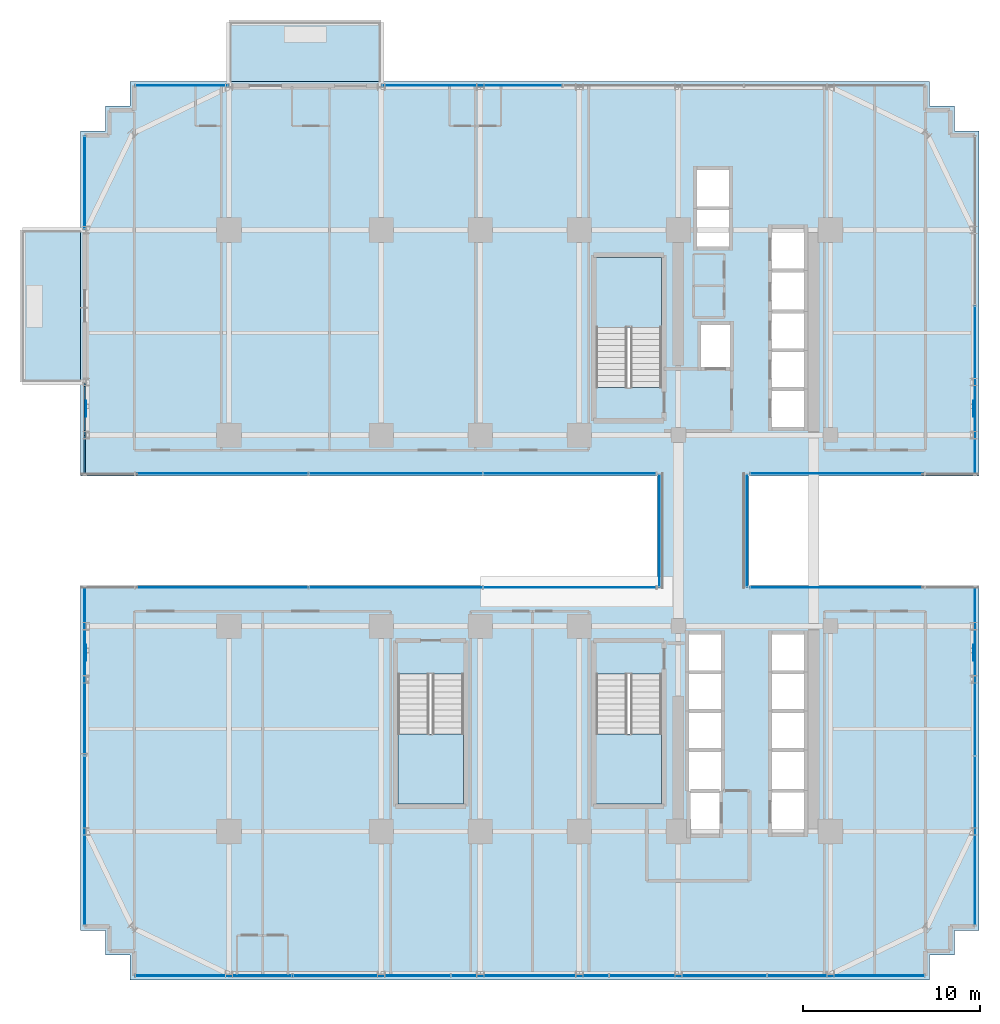
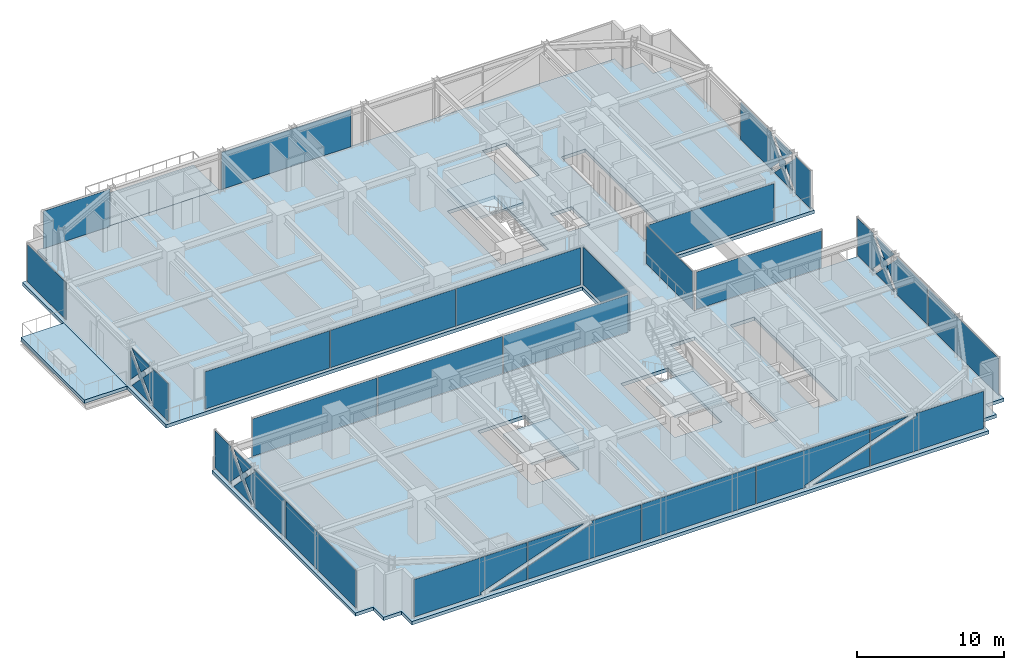
# One storey, part 34 of 42: 28 plates, 6 slabs, 17 elements without a shape of their own.
"""IFC4 building model written with IfcOpenShell, lengths in metres."""

from ifc_helpers import new_model, si_unit, direction, frame, origin, origin_2d, place, context, subcontext, project, spatial, polyline, rectangle, outline, extrude, source, transform, mapped, material, layer, layer_set, type_object, element, aggregate, save


model = new_model("IFC4")

# Units and contexts
model_context = context("Model", 3, precision=1e-05, world=origin(), true_north=direction((0.0, 1.0)))
body_context = subcontext(model_context, "Body", "Model", "MODEL_VIEW")
ifc_project = project(units=[si_unit("LENGTHUNIT", "METRE"), si_unit("AREAUNIT", "SQUARE_METRE"), si_unit("VOLUMEUNIT", "CUBIC_METRE"), si_unit("PLANEANGLEUNIT", "RADIAN"), si_unit("MASSUNIT", "GRAM", prefix="KILO")], contexts=[model_context])

# Site, building, storey
site_placement = place(None, origin())
site = spatial("IfcSite", under=ifc_project, at=site_placement, CompositionType="ELEMENT")
building_placement = place(site_placement, origin())
building = spatial("IfcBuilding", under=site, at=building_placement, Name="Nahalor Promenade Grand Hotel", CompositionType="ELEMENT")
storey_placement = place(building_placement, frame((0.0, 0.0, 61.60009765625)))
storey = spatial("IfcBuildingStorey", under=building, at=storey_placement, Name="L14", CompositionType="ELEMENT", Elevation=61.60009765625)

# Curtain wall, plates
ifc_material_1 = material(Name="Anodised Bronze Aluminium EN AW-6063 T6", Category="aluminium")
curtain_wall_type_1 = type_object("IfcCurtainWallType", Name="CW3 Elliptical-Void Collar Unitised Curtain Wall", PredefinedType="USERDEFINED", material=ifc_material_1)
curtain_wall_1_placement = place(storey_placement, origin())
curtain_wall_1 = element("IfcCurtainWall", 1, at=curtain_wall_1_placement, inside=storey, type_object=curtain_wall_type_1, Name="L14 Curtain Wall CW-L14-S-1", ObjectType="UNITISED_CURTAIN_WALL", PredefinedType="USERDEFINED")
ifc_material_2 = material(Name="Low-E Laminated Solar Glass", Category="glass")
ifc_layer_1 = layer(ifc_material_2, 0.030029296875)
ifc_layer_set_1 = layer_set([ifc_layer_1], Name="Low-E Laminated Solar Glass")
plate_type_1 = type_object("IfcPlateType", Name="CWP3 High-Wind Laminated Bronze IGU 30mm", PredefinedType="CURTAIN_PANEL", material=ifc_layer_set_1)
plate_1_placement = place(storey_placement, frame((-17.87060546875, -25.159912109375, 0.1396484375), z_axis=(0.0, 0.0, 1.0), x_axis=(1.0, 0.0, 0.0)))
plate_1 = element("IfcPlate", 2, at=plate_1_placement, type_object=plate_type_1, Name="CW-L14-S-1 Glazing Panel 0-0", PredefinedType="CURTAIN_PANEL", context=body_context, shape_type="SweptSolid", body=[
    extrude(outline(polyline([(-4.41943359375, 3.090087890625), (-4.41943359375, 0.0), (0.847412109375, 0.0), (0.77978515625, 0.18994140625), (4.41943359375, 1.4892578125), (4.41943359375, 3.090087890625), (-4.41943359375, 3.090087890625)])), frame((0.0, 0.01513671875, 0.0), z_axis=(0.0, -1.0, 0.0), x_axis=(1.0, 0.0, 0.0)), (0.0, 0.0, 1.0), 0.030029296875),
    extrude(outline(polyline([(1.437255859375, 0.0), (4.41943359375, 0.0), (4.41943359375, 1.064453125), (1.437255859375, 0.0)])), frame((0.0, 0.01513671875, 0.0), z_axis=(0.0, -1.0, 0.0), x_axis=(1.0, 0.0, 0.0)), (0.0, 0.0, 1.0), 0.030029296875),
])
plate_2_placement = place(storey_placement, frame((-8.944091796875, -25.159912109375, 0.1396484375), z_axis=(0.0, 0.0, 1.0), x_axis=(1.0, 0.0, 0.0)))
plate_2 = element("IfcPlate", 3, at=plate_2_placement, type_object=plate_type_1, Name="CW-L14-S-1 Glazing Panel 1-0", PredefinedType="CURTAIN_PANEL", context=body_context, shape_type="SweptSolid", body=[
    extrude(outline(polyline([(4.43701171875, 0.0), (4.43701171875, 3.090087890625), (0.56689453125, 3.090087890625), (0.634765625, 2.900146484375), (-4.43701171875, 1.089599609375), (-4.43701171875, 0.0), (4.43701171875, 0.0)])), frame((0.0, 0.01513671875, 0.0), z_axis=(0.0, -1.0, 0.0), x_axis=(1.0, 0.0, 0.0)), (0.0, 0.0, 1.0), 0.030029296875),
    extrude(outline(polyline([(-0.02294921875, 3.090087890625), (-4.43701171875, 3.090087890625), (-4.43701171875, 1.51416015625), (-0.02294921875, 3.090087890625)])), frame((0.0, 0.01513671875, 0.0), z_axis=(0.0, -1.0, 0.0), x_axis=(1.0, 0.0, 0.0)), (0.0, 0.0, 1.0), 0.030029296875),
])
plate_3_placement = place(storey_placement, frame((8.944091796875, -25.159912109375, 0.1396484375), z_axis=(0.0, 0.0, 1.0), x_axis=(1.0, 0.0, 0.0)))
plate_3 = element("IfcPlate", 4, at=plate_3_placement, type_object=plate_type_1, Name="CW-L14-S-1 Glazing Panel 3-0", PredefinedType="CURTAIN_PANEL", context=body_context, shape_type="SweptSolid", body=[
    extrude(outline(polyline([(-4.43701171875, 3.090087890625), (-4.43701171875, 0.0), (-0.56689453125, 0.0), (-0.634765625, 0.18994140625), (4.43701171875, 2.00048828125), (4.43701171875, 3.090087890625), (-4.43701171875, 3.090087890625)])), frame((0.0, 0.01513671875, 0.0), z_axis=(0.0, -1.0, 0.0), x_axis=(1.0, 0.0, 0.0)), (0.0, 0.0, 1.0), 0.030029296875),
    extrude(outline(polyline([(0.02294921875, 0.0), (4.43701171875, 0.0), (4.43701171875, 1.57568359375), (0.02294921875, 0.0)])), frame((0.0, 0.01513671875, 0.0), z_axis=(0.0, -1.0, 0.0), x_axis=(1.0, 0.0, 0.0)), (0.0, 0.0, 1.0), 0.030029296875),
])
plate_4_placement = place(storey_placement, frame((17.87060546875, -25.159912109375, 0.1396484375), z_axis=(0.0, 0.0, 1.0), x_axis=(1.0, 0.0, 0.0)))
plate_4 = element("IfcPlate", 5, at=plate_4_placement, type_object=plate_type_1, Name="CW-L14-S-1 Glazing Panel 4-0", PredefinedType="CURTAIN_PANEL", context=body_context, shape_type="SweptSolid", body=[
    extrude(outline(polyline([(4.41943359375, 0.0), (4.41943359375, 3.090087890625), (-0.847412109375, 3.090087890625), (-0.77978515625, 2.900146484375), (-4.41943359375, 1.600830078125), (-4.41943359375, 0.0), (4.41943359375, 0.0)])), frame((0.0, 0.01513671875, 0.0), z_axis=(0.0, -1.0, 0.0), x_axis=(1.0, 0.0, 0.0)), (0.0, 0.0, 1.0), 0.030029296875),
    extrude(outline(polyline([(-1.437255859375, 3.090087890625), (-4.41943359375, 3.090087890625), (-4.41943359375, 2.025390625), (-1.437255859375, 3.090087890625)])), frame((0.0, 0.01513671875, 0.0), z_axis=(0.0, -1.0, 0.0), x_axis=(1.0, 0.0, 0.0)), (0.0, 0.0, 1.0), 0.030029296875),
])

# Curtain wall, plate
curtain_wall_2_placement = place(storey_placement, origin())
curtain_wall_2 = element("IfcCurtainWall", 6, at=curtain_wall_2_placement, inside=storey, type_object=curtain_wall_type_1, Name="L14 Curtain Wall CW-L14-W-1", ObjectType="UNITISED_CURTAIN_WALL", PredefinedType="USERDEFINED")
plate_5_placement = place(storey_placement, frame((-25.159912109375, -7.9326171875, 0.1396484375), z_axis=(0.0, 0.0, 1.0), x_axis=(0.0, 1.0, 0.0)))
plate_5 = element("IfcPlate", 7, at=plate_5_placement, type_object=plate_type_1, Name="CW-L14-W-1 Glazing Panel 1-0", PredefinedType="CURTAIN_PANEL", context=body_context, shape_type="SweptSolid", body=[
    extrude(outline(polyline([(-4.762451171875, 3.090087890625), (-4.762451171875, 0.0), (-0.492919921875, 0.0), (-0.6279296875, 0.1318359375), (0.7529296875, 1.544921875), (-0.6279296875, 2.9580078125), (-0.492919921875, 3.090087890625), (-4.762451171875, 3.090087890625)])), frame((0.0, 0.01513671875, 0.0), z_axis=(0.0, -1.0, 0.0), x_axis=(1.0, 0.0, 0.0)), (0.0, 0.0, 1.0), 0.030029296875),
    extrude(outline(polyline([(1.032470703125, 1.2587890625), (-0.19775390625, 0.0), (2.2626953125, 0.0), (1.032470703125, 1.2587890625)])), frame((0.0, 0.01513671875, 0.0), z_axis=(0.0, -1.0, 0.0), x_axis=(1.0, 0.0, 0.0)), (0.0, 0.0, 1.0), 0.030029296875),
    extrude(outline(polyline([(1.032470703125, 1.831298828125), (2.2626953125, 3.090087890625), (-0.197509765625, 3.090087890625), (1.032470703125, 1.831298828125)])), frame((0.0, 0.01513671875, 0.0), z_axis=(0.0, -1.0, 0.0), x_axis=(1.0, 0.0, 0.0)), (0.0, 0.0, 1.0), 0.030029296875),
    extrude(outline(polyline([(4.762451171875, 0.0), (4.762451171875, 3.090087890625), (2.55810546875, 3.090087890625), (2.693115234375, 2.9580078125), (1.31201171875, 1.544921875), (2.693115234375, 0.1318359375), (2.55810546875, 0.0), (4.762451171875, 0.0)])), frame((0.0, 0.01513671875, 0.0), z_axis=(0.0, -1.0, 0.0), x_axis=(1.0, 0.0, 0.0)), (0.0, 0.0, 1.0), 0.030029296875),
])

curtain_wall_3_placement = place(storey_placement, origin())
curtain_wall_3 = element("IfcCurtainWall", 8, at=curtain_wall_3_placement, inside=storey, type_object=curtain_wall_type_1, Name="L14 Curtain Wall CW-L14-W-2", ObjectType="UNITISED_CURTAIN_WALL", PredefinedType="USERDEFINED")
plate_6_placement = place(storey_placement, frame((-25.159912109375, 5.75, 0.1396484375), z_axis=(0.0, 0.0, 1.0), x_axis=(0.0, 1.0, 0.0)))
plate_6 = element("IfcPlate", 9, at=plate_6_placement, type_object=plate_type_1, Name="CW-L14-W-2 Glazing Panel 0-0", PredefinedType="CURTAIN_PANEL", context=body_context, shape_type="SweptSolid", body=[
    extrude(outline(polyline([(-2.580078125, 3.090087890625), (-2.580078125, 0.0), (-0.37548828125, 0.0), (-0.510498046875, 0.1318359375), (0.870361328125, 1.544921875), (-0.510498046875, 2.9580078125), (-0.37548828125, 3.090087890625), (-2.580078125, 3.090087890625)])), frame((0.0, 0.01513671875, 0.0), z_axis=(0.0, -1.0, 0.0), x_axis=(1.0, 0.0, 0.0)), (0.0, 0.0, 1.0), 0.030029296875),
    extrude(outline(polyline([(1.14990234375, 1.2587890625), (-0.080078125, 0.0), (2.380126953125, 0.0), (1.14990234375, 1.2587890625)])), frame((0.0, 0.01513671875, 0.0), z_axis=(0.0, -1.0, 0.0), x_axis=(1.0, 0.0, 0.0)), (0.0, 0.0, 1.0), 0.030029296875),
    extrude(outline(polyline([(1.14990234375, 1.831298828125), (2.380126953125, 3.090087890625), (-0.080078125, 3.090087890625), (1.14990234375, 1.831298828125)])), frame((0.0, 0.01513671875, 0.0), z_axis=(0.0, -1.0, 0.0), x_axis=(1.0, 0.0, 0.0)), (0.0, 0.0, 1.0), 0.030029296875),
    extrude(outline(polyline([(1.4296875, 1.544921875), (2.580078125, 0.36767578125), (2.580078125, 2.72216796875), (1.4296875, 1.544921875)])), frame((0.0, 0.01513671875, 0.0), z_axis=(0.0, -1.0, 0.0), x_axis=(1.0, 0.0, 0.0)), (0.0, 0.0, 1.0), 0.030029296875),
])
aggregate(curtain_wall_3, [plate_6])

curtain_wall_4_placement = place(storey_placement, origin())
curtain_wall_4 = element("IfcCurtainWall", 10, at=curtain_wall_4_placement, inside=storey, type_object=curtain_wall_type_1, Name="L14 Curtain Wall CW-L14-E-1", ObjectType="UNITISED_CURTAIN_WALL", PredefinedType="USERDEFINED")
plate_7_placement = place(storey_placement, frame((25.159912109375, -7.9326171875, 0.1396484375), z_axis=(0.0, 0.0, 1.0), x_axis=(0.0, 1.0, 0.0)))
plate_7 = element("IfcPlate", 11, at=plate_7_placement, type_object=plate_type_1, Name="CW-L14-E-1 Glazing Panel 1-0", PredefinedType="CURTAIN_PANEL", context=body_context, shape_type="SweptSolid", body=[
    extrude(outline(polyline([(-4.762451171875, 3.090087890625), (-4.762451171875, 0.0), (-0.492919921875, 0.0), (-0.6279296875, 0.1318359375), (0.7529296875, 1.544921875), (-0.6279296875, 2.9580078125), (-0.492919921875, 3.090087890625), (-4.762451171875, 3.090087890625)])), frame((0.0, 0.01513671875, 0.0), z_axis=(0.0, -1.0, 0.0), x_axis=(1.0, 0.0, 0.0)), (0.0, 0.0, 1.0), 0.030029296875),
    extrude(outline(polyline([(1.032470703125, 1.2587890625), (-0.19775390625, 0.0), (2.2626953125, 0.0), (1.032470703125, 1.2587890625)])), frame((0.0, 0.01513671875, 0.0), z_axis=(0.0, -1.0, 0.0), x_axis=(1.0, 0.0, 0.0)), (0.0, 0.0, 1.0), 0.030029296875),
    extrude(outline(polyline([(1.032470703125, 1.831298828125), (2.2626953125, 3.090087890625), (-0.197509765625, 3.090087890625), (1.032470703125, 1.831298828125)])), frame((0.0, 0.01513671875, 0.0), z_axis=(0.0, -1.0, 0.0), x_axis=(1.0, 0.0, 0.0)), (0.0, 0.0, 1.0), 0.030029296875),
    extrude(outline(polyline([(4.762451171875, 0.0), (4.762451171875, 3.090087890625), (2.55810546875, 3.090087890625), (2.693115234375, 2.9580078125), (1.31201171875, 1.544921875), (2.693115234375, 0.1318359375), (2.55810546875, 0.0), (4.762451171875, 0.0)])), frame((0.0, 0.01513671875, 0.0), z_axis=(0.0, -1.0, 0.0), x_axis=(1.0, 0.0, 0.0)), (0.0, 0.0, 1.0), 0.030029296875),
])

curtain_wall_5_placement = place(storey_placement, origin())
curtain_wall_5 = element("IfcCurtainWall", 12, at=curtain_wall_5_placement, inside=storey, type_object=curtain_wall_type_1, Name="L14 Curtain Wall CW-L14-E-2", ObjectType="UNITISED_CURTAIN_WALL", PredefinedType="USERDEFINED")
plate_8_placement = place(storey_placement, frame((25.159912109375, 7.9326171875, 0.1396484375), z_axis=(0.0, 0.0, 1.0), x_axis=(0.0, 1.0, 0.0)))
plate_8 = element("IfcPlate", 13, at=plate_8_placement, type_object=plate_type_1, Name="CW-L14-E-2 Glazing Panel 0-0", PredefinedType="CURTAIN_PANEL", context=body_context, shape_type="SweptSolid", body=[
    extrude(outline(polyline([(-4.762451171875, 3.090087890625), (-4.762451171875, 0.0), (-2.55810546875, 0.0), (-2.693115234375, 0.1318359375), (-1.31201171875, 1.544921875), (-2.693115234375, 2.9580078125), (-2.55810546875, 3.090087890625), (-4.762451171875, 3.090087890625)])), frame((0.0, 0.01513671875, 0.0), z_axis=(0.0, -1.0, 0.0), x_axis=(1.0, 0.0, 0.0)), (0.0, 0.0, 1.0), 0.030029296875),
    extrude(outline(polyline([(-1.032470703125, 1.2587890625), (-2.2626953125, 0.0), (0.197509765625, 0.0), (-1.032470703125, 1.2587890625)])), frame((0.0, 0.01513671875, 0.0), z_axis=(0.0, -1.0, 0.0), x_axis=(1.0, 0.0, 0.0)), (0.0, 0.0, 1.0), 0.030029296875),
    extrude(outline(polyline([(-1.032470703125, 1.831298828125), (0.19775390625, 3.090087890625), (-2.2626953125, 3.090087890625), (-1.032470703125, 1.831298828125)])), frame((0.0, 0.01513671875, 0.0), z_axis=(0.0, -1.0, 0.0), x_axis=(1.0, 0.0, 0.0)), (0.0, 0.0, 1.0), 0.030029296875),
    extrude(outline(polyline([(4.762451171875, 0.0), (4.762451171875, 3.090087890625), (0.492919921875, 3.090087890625), (0.6279296875, 2.9580078125), (-0.7529296875, 1.544921875), (0.6279296875, 0.1318359375), (0.492919921875, 0.0), (4.762451171875, 0.0)])), frame((0.0, 0.01513671875, 0.0), z_axis=(0.0, -1.0, 0.0), x_axis=(1.0, 0.0, 0.0)), (0.0, 0.0, 1.0), 0.030029296875),
])
aggregate(curtain_wall_5, [plate_8])

# Stair, slab
ifc_material_3 = material(Name="Concrete B-50 (C40/50)", Category="concrete")
stair_type_1 = type_object("IfcStairType", Name="Stair-ST1", PredefinedType="HALF_TURN_STAIR", material=ifc_material_3)
stair_1_placement = place(storey_placement, origin())
stair_1 = element("IfcStair", 14, at=stair_1_placement, inside=storey, type_object=stair_type_1, Name="L14 ST1", PredefinedType="HALF_TURN_STAIR")
ifc_layer_2 = layer(ifc_material_3, 0.199951171875)
ifc_layer_set_2 = layer_set([ifc_layer_2], Name="Concrete B-50 (C40/50)")
slab_type_1 = type_object("IfcSlabType", Name="Landing-ST1", PredefinedType="LANDING", material=ifc_layer_set_2)
slab_1_placement = place(storey_placement, frame((0.0, 0.0, 1.625)))
slab_1 = element("IfcSlab", 15, at=slab_1_placement, type_object=slab_type_1, Name="ST1 landing 1", PredefinedType="LANDING", context=body_context, shape_type="SweptSolid", body=[
    extrude(outline(polyline([(7.449951171875, 11.5), (7.449951171875, 15.449951171875), (3.75, 15.449951171875), (3.75, 11.5), (7.449951171875, 11.5)])), origin(), (0.0, 0.0, 1.0), 0.199951171875),
])
aggregate(stair_1, [slab_1])

stair_type_2 = type_object("IfcStairType", Name="Stair-ST2", PredefinedType="HALF_TURN_STAIR", material=ifc_material_3)
stair_2_placement = place(storey_placement, origin())
stair_2 = element("IfcStair", 16, at=stair_2_placement, inside=storey, type_object=stair_type_2, Name="L14 ST2", PredefinedType="HALF_TURN_STAIR")
ifc_layer_3 = layer(ifc_material_3, 0.2099609375)
ifc_layer_set_3 = layer_set([ifc_layer_3], Name="Concrete B-50 (C40/50)")
slab_type_2 = type_object("IfcSlabType", Name="Landing-ST2", PredefinedType="LANDING", material=ifc_layer_set_3)
slab_2_placement = place(storey_placement, frame((0.0, 0.0, 1.614990234375)))
slab_2 = element("IfcSlab", 17, at=slab_2_placement, type_object=slab_type_2, Name="ST2 landing 1", PredefinedType="LANDING", context=body_context, shape_type="SweptSolid", body=[
    extrude(outline(polyline([(3.75, -11.5), (3.75, -15.449951171875), (7.449951171875, -15.449951171875), (7.449951171875, -11.5), (3.75, -11.5)])), origin(), (0.0, 0.0, 1.0), 0.2099609375),
])
aggregate(stair_2, [slab_2])

stair_type_3 = type_object("IfcStairType", Name="Stair-ST3", PredefinedType="HALF_TURN_STAIR", material=ifc_material_3)
stair_3_placement = place(storey_placement, origin())
stair_3 = element("IfcStair", 18, at=stair_3_placement, inside=storey, type_object=stair_type_3, Name="L14 ST3", PredefinedType="HALF_TURN_STAIR")
ifc_layer_4 = layer(ifc_material_3, 0.219970703125)
ifc_layer_set_4 = layer_set([ifc_layer_4], Name="Concrete B-50 (C40/50)")
slab_type_3 = type_object("IfcSlabType", Name="Landing-ST3", PredefinedType="LANDING", material=ifc_layer_set_4)
slab_3_placement = place(storey_placement, frame((0.0, 0.0, 1.60498046875)))
slab_3 = element("IfcSlab", 19, at=slab_3_placement, type_object=slab_type_3, Name="ST3 landing 1", PredefinedType="LANDING", context=body_context, shape_type="SweptSolid", body=[
    extrude(outline(polyline([(-7.449951171875, -11.5), (-7.449951171875, -15.449951171875), (-3.75, -15.449951171875), (-3.75, -11.5), (-7.449951171875, -11.5)])), origin(), (0.0, 0.0, 1.0), 0.219970703125),
])
aggregate(stair_3, [slab_3])

# Slabs
ifc_layer_5 = layer(ifc_material_3, 0.280029296875)
ifc_layer_set_5 = layer_set([ifc_layer_5], Name="Concrete B-50 (C40/50)")
slab_type_4 = type_object("IfcSlabType", Name="Slab-Balcony-280", PredefinedType="FLOOR", material=ifc_layer_set_5)
slab_4_placement = place(storey_placement, frame((0.0, 0.0, -0.280029296875)))
element("IfcSlab", 20, at=slab_4_placement, inside=storey, type_object=slab_type_4, Name="L14 Cantilevered Planted Balcony 1", PredefinedType="FLOOR", context=body_context, shape_type="SweptSolid", body=[
    extrude(outline(polyline([(-17.0, 25.39990234375), (-8.39990234375, 25.39990234375), (-8.39990234375, 28.800048828125), (-17.0, 28.800048828125), (-17.0, 25.39990234375)])), origin(), (0.0, 0.0, 1.0), 0.280029296875),
])
slab_5_placement = place(storey_placement, frame((0.0, 0.0, -0.280029296875)))
element("IfcSlab", 21, at=slab_5_placement, inside=storey, type_object=slab_type_4, Name="L14 Cantilevered Planted Balcony 2", PredefinedType="FLOOR", context=body_context, shape_type="SweptSolid", body=[
    extrude(outline(polyline([(-28.75, 8.39990234375), (-25.39990234375, 8.39990234375), (-25.39990234375, 17.0), (-28.75, 17.0), (-28.75, 8.39990234375)])), origin(), (0.0, 0.0, 1.0), 0.280029296875),
])
ifc_layer_6 = layer(ifc_material_3, 0.280029296875)
ifc_layer_set_6 = layer_set([ifc_layer_6], Name="Concrete B-50 (C40/50)")
slab_type_5 = type_object("IfcSlabType", Name="Slab-TowerZ1-280", PredefinedType="FLOOR", material=ifc_layer_set_6)
slab_6_placement = place(storey_placement, frame((0.0, 0.0, -0.280029296875)))
element("IfcSlab", 22, at=slab_6_placement, inside=storey, type_object=slab_type_5, Name="L14 Suspended Structural Floor Slab", PredefinedType="FLOOR", context=body_context, shape_type="SweptSolid", body=[
    extrude(outline(polyline([(-22.60009765625, -25.39990234375), (22.60009765625, -25.39990234375), (22.60009765625, -24.0), (24.0, -24.0), (24.0, -22.60009765625), (25.39990234375, -22.60009765625), (25.39990234375, -3.10009765625), (12.39990234375, -3.10009765625), (12.39990234375, 3.10009765625), (25.39990234375, 3.10009765625), (25.39990234375, 22.60009765625), (24.0, 22.60009765625), (24.0, 24.0), (22.60009765625, 24.0), (22.60009765625, 25.39990234375), (-22.60009765625, 25.39990234375), (-22.60009765625, 24.0), (-24.0, 24.0), (-24.0, 22.60009765625), (-25.39990234375, 22.60009765625), (-25.39990234375, 3.10009765625), (7.199951171875, 3.10009765625), (7.199951171875, -3.10009765625), (-25.39990234375, -3.10009765625), (-25.39990234375, -22.60009765625), (-24.0, -22.60009765625), (-24.0, -24.0), (-22.60009765625, -24.0), (-22.60009765625, -25.39990234375)]), holes=[polyline([(3.75, 8.10009765625), (7.449951171875, 8.10009765625), (7.449951171875, 15.449951171875), (3.75, 15.449951171875), (3.75, 8.10009765625)]), polyline([(3.75, -15.449951171875), (7.449951171875, -15.449951171875), (7.449951171875, -8.10009765625), (3.75, -8.10009765625), (3.75, -15.449951171875)]), polyline([(-7.449951171875, -15.449951171875), (-3.75, -15.449951171875), (-3.75, -8.10009765625), (-7.449951171875, -8.10009765625), (-7.449951171875, -15.449951171875)]), polyline([(13.659912109375, 5.81005859375), (15.5400390625, 5.81005859375), (15.5400390625, 17.139892578125), (13.659912109375, 17.139892578125), (13.659912109375, 5.81005859375)]), polyline([(13.659912109375, -17.139892578125), (15.5400390625, -17.139892578125), (15.5400390625, -5.81005859375), (13.659912109375, -5.81005859375), (13.659912109375, -17.139892578125)]), polyline([(8.9599609375, -17.18994140625), (10.840087890625, -17.18994140625), (10.840087890625, -5.81005859375), (8.9599609375, -5.81005859375), (8.9599609375, -17.18994140625)]), polyline([(9.409912109375, 16.010009765625), (11.2900390625, 16.010009765625), (11.2900390625, 20.43994140625), (9.409912109375, 20.43994140625), (9.409912109375, 16.010009765625)]), polyline([(9.659912109375, 9.2099609375), (11.340087890625, 9.2099609375), (11.340087890625, 11.68994140625), (9.659912109375, 11.68994140625), (9.659912109375, 9.2099609375)])]), origin(), (0.0, 0.0, 1.0), 0.280029296875),
])

# Plates
ifc_material_4 = material(Name="Steel S355J2", Category="steel")
ifc_layer_7 = layer(ifc_material_4, 0.035888671875)
ifc_layer_set_7 = layer_set([ifc_layer_7], Name="Steel S355J2")
plate_type_2 = type_object("IfcPlateType", Name="Plate-CrossGusset-36", PredefinedType="USERDEFINED", material=ifc_layer_set_7)
shared_shape_1 = source(origin(), body_context, "Body", "SweptSolid", [
    extrude(rectangle(XDim=0.89990234375, YDim=0.035888671875, at=origin_2d()), origin(), (0.0, 0.0, 1.0), 0.89990234375),
])
for number, where, z_axis, x_axis, name in (
    (23, (-25.080078125, -6.89990234375, 1.23486328125), (0.0, 0.0, 1.0), (0.0, 1.0, 0.0), "PL-L14-VXX-W0"),
    (24, (-25.080078125, 6.89990234375, 1.23486328125), (0.0, 0.0, 1.0), (0.0, 1.0, 0.0), "PL-L14-VXX-W1"),
    (25, (25.080078125, -6.89990234375, 1.23486328125), (0.0, 0.0, 1.0), (0.0, 1.0, 0.0), "PL-L14-VXX-E0"),
    (26, (25.080078125, 6.89990234375, 1.23486328125), (0.0, 0.0, 1.0), (0.0, 1.0, 0.0), "PL-L14-VXX-E1"),
):
    element("IfcPlate", number, at=place(storey_placement, frame(where, z_axis=z_axis, x_axis=x_axis)), inside=storey, type_object=plate_type_2, Name=name, ObjectType="GUSSET_PLATE", PredefinedType="USERDEFINED", context=body_context, shape_type="MappedRepresentation", body=[
        mapped(shared_shape_1, transform((0.0, 0.0, 0.0), scale=1.0)),
    ])

# Curtain wall, plate
curtain_wall_6_placement = place(storey_placement, origin())
curtain_wall_6 = element("IfcCurtainWall", 27, at=curtain_wall_6_placement, inside=storey, type_object=curtain_wall_type_1, Name="L14 Curtain Wall CW-L14-N-1", ObjectType="UNITISED_CURTAIN_WALL", PredefinedType="USERDEFINED")
shared_shape_2 = source(origin(), body_context, "Body", "SweptSolid", [
    extrude(rectangle(XDim=5.219970703125, YDim=0.030029296875, at=origin_2d()), origin(), (0.0, 0.0, 1.0), 3.090087890625),
])
plate_9_placement = place(storey_placement, frame((-19.679931640625, 25.159912109375, 0.1396484375), z_axis=(0.0, 0.0, 1.0), x_axis=(1.0, 0.0, 0.0)))
plate_9 = element("IfcPlate", 28, at=plate_9_placement, type_object=plate_type_1, Name="CW-L14-N-1 Glazing Panel 0-0", PredefinedType="CURTAIN_PANEL", context=body_context, shape_type="MappedRepresentation", body=[
    mapped(shared_shape_2, transform((0.0, 0.0, 0.0), scale=1.0)),
])
aggregate(curtain_wall_6, [plate_9])

curtain_wall_7_placement = place(storey_placement, origin())
curtain_wall_7 = element("IfcCurtainWall", 29, at=curtain_wall_7_placement, inside=storey, type_object=curtain_wall_type_1, Name="L14 Curtain Wall CW-L14-W-4", ObjectType="UNITISED_CURTAIN_WALL", PredefinedType="USERDEFINED")
plate_10_placement = place(storey_placement, frame((-25.159912109375, 19.679931640625, 0.1396484375), z_axis=(0.0, 0.0, 1.0), x_axis=(0.0, 1.0, 0.0)))
plate_10 = element("IfcPlate", 30, at=plate_10_placement, type_object=plate_type_1, Name="CW-L14-W-4 Glazing Panel 0-0", PredefinedType="CURTAIN_PANEL", context=body_context, shape_type="MappedRepresentation", body=[
    mapped(shared_shape_2, transform((0.0, 0.0, 0.0), scale=1.0)),
])
aggregate(curtain_wall_7, [plate_10])

curtain_wall_8_placement = place(storey_placement, origin())
curtain_wall_8 = element("IfcCurtainWall", 31, at=curtain_wall_8_placement, inside=storey, type_object=curtain_wall_type_1, Name="L14 Curtain Wall CW-L14-N-3", ObjectType="UNITISED_CURTAIN_WALL", PredefinedType="USERDEFINED")
shared_shape_3 = source(origin(), body_context, "Body", "SweptSolid", [
    extrude(rectangle(XDim=10.1484375, YDim=0.030029296875, at=origin_2d()), origin(), (0.0, 0.0, 1.0), 3.090087890625),
])
plate_11_placement = place(storey_placement, frame((-3.255859375, 25.159912109375, 0.1396484375), z_axis=(0.0, 0.0, 1.0), x_axis=(1.0, 0.0, 0.0)))
plate_11 = element("IfcPlate", 32, at=plate_11_placement, type_object=plate_type_1, Name="CW-L14-N-3 Glazing Panel 0-0", PredefinedType="CURTAIN_PANEL", context=body_context, shape_type="MappedRepresentation", body=[
    mapped(shared_shape_3, transform((0.0, 0.0, 0.0), scale=1.0)),
])
aggregate(curtain_wall_8, [plate_11])

# Plate
shared_shape_4 = source(origin(), body_context, "Body", "SweptSolid", [
    extrude(rectangle(XDim=8.8740234375, YDim=0.030029296875, at=origin_2d()), origin(), (0.0, 0.0, 1.0), 3.090087890625),
])
plate_12_placement = place(storey_placement, frame((0.0, -25.159912109375, 0.1396484375), z_axis=(0.0, 0.0, 1.0), x_axis=(1.0, 0.0, 0.0)))
plate_12 = element("IfcPlate", 33, at=plate_12_placement, type_object=plate_type_1, Name="CW-L14-S-1 Glazing Panel 2-0", PredefinedType="CURTAIN_PANEL", context=body_context, shape_type="MappedRepresentation", body=[
    mapped(shared_shape_4, transform((0.0, 0.0, 0.0), scale=1.0)),
])

aggregate(curtain_wall_1, [plate_1, plate_2, plate_12, plate_3, plate_4])

# Curtain wall, plates
curtain_wall_9_placement = place(storey_placement, origin())
curtain_wall_9 = element("IfcCurtainWall", 34, at=curtain_wall_9_placement, inside=storey, type_object=curtain_wall_type_1, Name="L14 Curtain Wall CW-L14-VOID-WS1", ObjectType="UNITISED_CURTAIN_WALL", PredefinedType="USERDEFINED")
shared_shape_5 = source(origin(), body_context, "Body", "SweptSolid", [
    extrude(rectangle(XDim=9.748291015625, YDim=0.030029296875, at=origin_2d()), origin(), (0.0, 0.0, 1.0), 3.090087890625),
])
plate_13_placement = place(storey_placement, frame((-17.415771484375, -3.219970703125, 0.1396484375), z_axis=(0.0, 0.0, 1.0), x_axis=(1.0, 0.0, 0.0)))
plate_13 = element("IfcPlate", 35, at=plate_13_placement, type_object=plate_type_1, Name="CW-L14-VOID-WS1 Glazing Panel 0-0", PredefinedType="CURTAIN_PANEL", context=body_context, shape_type="MappedRepresentation", body=[
    mapped(shared_shape_5, transform((0.0, 0.0, 0.0), scale=1.0)),
])
plate_14_placement = place(storey_placement, frame((2.255859375, -3.219970703125, 0.1396484375), z_axis=(0.0, 0.0, 1.0), x_axis=(1.0, 0.0, 0.0)))
plate_14 = element("IfcPlate", 36, at=plate_14_placement, type_object=plate_type_1, Name="CW-L14-VOID-WS1 Glazing Panel 2-0", PredefinedType="CURTAIN_PANEL", context=body_context, shape_type="MappedRepresentation", body=[
    mapped(shared_shape_5, transform((0.0, 0.0, 0.0), scale=1.0)),
])

curtain_wall_10_placement = place(storey_placement, origin())
curtain_wall_10 = element("IfcCurtainWall", 37, at=curtain_wall_10_placement, inside=storey, type_object=curtain_wall_type_1, Name="L14 Curtain Wall CW-L14-VOID-WN1", ObjectType="UNITISED_CURTAIN_WALL", PredefinedType="USERDEFINED")
plate_15_placement = place(storey_placement, frame((-17.415771484375, 3.219970703125, 0.1396484375), z_axis=(0.0, 0.0, 1.0), x_axis=(1.0, 0.0, 0.0)))
plate_15 = element("IfcPlate", 38, at=plate_15_placement, type_object=plate_type_1, Name="CW-L14-VOID-WN1 Glazing Panel 0-0", PredefinedType="CURTAIN_PANEL", context=body_context, shape_type="MappedRepresentation", body=[
    mapped(shared_shape_5, transform((0.0, 0.0, 0.0), scale=1.0)),
])
plate_16_placement = place(storey_placement, frame((2.255859375, 3.219970703125, 0.1396484375), z_axis=(0.0, 0.0, 1.0), x_axis=(1.0, 0.0, 0.0)))
plate_16 = element("IfcPlate", 39, at=plate_16_placement, type_object=plate_type_1, Name="CW-L14-VOID-WN1 Glazing Panel 2-0", PredefinedType="CURTAIN_PANEL", context=body_context, shape_type="MappedRepresentation", body=[
    mapped(shared_shape_5, transform((0.0, 0.0, 0.0), scale=1.0)),
])

# Plate
shared_shape_6 = source(origin(), body_context, "Body", "SweptSolid", [
    extrude(rectangle(XDim=9.783447265625, YDim=0.030029296875, at=origin_2d()), origin(), (0.0, 0.0, 1.0), 3.090087890625),
])
plate_17_placement = place(storey_placement, frame((-7.580078125, -3.219970703125, 0.1396484375), z_axis=(0.0, 0.0, 1.0), x_axis=(1.0, 0.0, 0.0)))
plate_17 = element("IfcPlate", 40, at=plate_17_placement, type_object=plate_type_1, Name="CW-L14-VOID-WS1 Glazing Panel 1-0", PredefinedType="CURTAIN_PANEL", context=body_context, shape_type="MappedRepresentation", body=[
    mapped(shared_shape_6, transform((0.0, 0.0, 0.0), scale=1.0)),
])

aggregate(curtain_wall_9, [plate_13, plate_17, plate_14])

plate_18_placement = place(storey_placement, frame((-7.580078125, 3.219970703125, 0.1396484375), z_axis=(0.0, 0.0, 1.0), x_axis=(1.0, 0.0, 0.0)))
plate_18 = element("IfcPlate", 41, at=plate_18_placement, type_object=plate_type_1, Name="CW-L14-VOID-WN1 Glazing Panel 1-0", PredefinedType="CURTAIN_PANEL", context=body_context, shape_type="MappedRepresentation", body=[
    mapped(shared_shape_6, transform((0.0, 0.0, 0.0), scale=1.0)),
])

aggregate(curtain_wall_10, [plate_15, plate_18, plate_16])

# Curtain wall, plate
curtain_wall_11_placement = place(storey_placement, origin())
curtain_wall_11 = element("IfcCurtainWall", 42, at=curtain_wall_11_placement, inside=storey, type_object=curtain_wall_type_1, Name="L14 Curtain Wall CW-L14-VOID-ES1", ObjectType="UNITISED_CURTAIN_WALL", PredefinedType="USERDEFINED")
shared_shape_7 = source(origin(), body_context, "Body", "SweptSolid", [
    extrude(rectangle(XDim=9.820068359375, YDim=0.030029296875, at=origin_2d()), origin(), (0.0, 0.0, 1.0), 3.090087890625),
])
plate_19_placement = place(storey_placement, frame((17.3798828125, -3.219970703125, 0.1396484375), z_axis=(0.0, 0.0, 1.0), x_axis=(1.0, 0.0, 0.0)))
plate_19 = element("IfcPlate", 43, at=plate_19_placement, type_object=plate_type_1, Name="CW-L14-VOID-ES1 Glazing Panel 0-0", PredefinedType="CURTAIN_PANEL", context=body_context, shape_type="MappedRepresentation", body=[
    mapped(shared_shape_7, transform((0.0, 0.0, 0.0), scale=1.0)),
])
aggregate(curtain_wall_11, [plate_19])

curtain_wall_12_placement = place(storey_placement, origin())
curtain_wall_12 = element("IfcCurtainWall", 44, at=curtain_wall_12_placement, inside=storey, type_object=curtain_wall_type_1, Name="L14 Curtain Wall CW-L14-VOID-EN1", ObjectType="UNITISED_CURTAIN_WALL", PredefinedType="USERDEFINED")
plate_20_placement = place(storey_placement, frame((17.3798828125, 3.219970703125, 0.1396484375), z_axis=(0.0, 0.0, 1.0), x_axis=(1.0, 0.0, 0.0)))
plate_20 = element("IfcPlate", 45, at=plate_20_placement, type_object=plate_type_1, Name="CW-L14-VOID-EN1 Glazing Panel 0-0", PredefinedType="CURTAIN_PANEL", context=body_context, shape_type="MappedRepresentation", body=[
    mapped(shared_shape_7, transform((0.0, 0.0, 0.0), scale=1.0)),
])
aggregate(curtain_wall_12, [plate_20])

# Plate
shared_shape_8 = source(origin(), body_context, "Body", "SweptSolid", [
    extrude(rectangle(XDim=9.52490234375, YDim=0.030029296875, at=origin_2d()), origin(), (0.0, 0.0, 1.0), 3.090087890625),
])
plate_21_placement = place(storey_placement, frame((-25.159912109375, -17.527587890625, 0.1396484375), z_axis=(0.0, 0.0, 1.0), x_axis=(0.0, 1.0, 0.0)))
plate_21 = element("IfcPlate", 46, at=plate_21_placement, type_object=plate_type_1, Name="CW-L14-W-1 Glazing Panel 0-0", PredefinedType="CURTAIN_PANEL", context=body_context, shape_type="MappedRepresentation", body=[
    mapped(shared_shape_8, transform((0.0, 0.0, 0.0), scale=1.0)),
])

aggregate(curtain_wall_2, [plate_21, plate_5])

plate_22_placement = place(storey_placement, frame((25.159912109375, -17.527587890625, 0.1396484375), z_axis=(0.0, 0.0, 1.0), x_axis=(0.0, 1.0, 0.0)))
plate_22 = element("IfcPlate", 47, at=plate_22_placement, type_object=plate_type_1, Name="CW-L14-E-1 Glazing Panel 0-0", PredefinedType="CURTAIN_PANEL", context=body_context, shape_type="MappedRepresentation", body=[
    mapped(shared_shape_8, transform((0.0, 0.0, 0.0), scale=1.0)),
])

aggregate(curtain_wall_4, [plate_22, plate_7])

# Curtain wall, plate
curtain_wall_type_2 = type_object("IfcCurtainWallType", Name="CW4 Low-Iron Sky-Gallery Bridge Curtain Wall", PredefinedType="USERDEFINED", material=ifc_material_1)
curtain_wall_13_placement = place(storey_placement, origin())
curtain_wall_13 = element("IfcCurtainWall", 48, at=curtain_wall_13_placement, inside=storey, type_object=curtain_wall_type_2, Name="L14 Curtain Wall CW-L14-BRG-W", ObjectType="UNITISED_CURTAIN_WALL", PredefinedType="USERDEFINED")
ifc_layer_8 = layer(ifc_material_2, 0.02587890625)
ifc_layer_set_8 = layer_set([ifc_layer_8], Name="Low-E Laminated Solar Glass")
plate_type_3 = type_object("IfcPlateType", Name="CWP4 Ultra-Clear Low-Iron Bridge IGU 26mm", PredefinedType="CURTAIN_PANEL", material=ifc_layer_set_8)
shared_shape_9 = source(origin(), body_context, "Body", "SweptSolid", [
    extrude(rectangle(XDim=6.320068359375, YDim=0.02587890625, at=origin_2d()), origin(), (0.0, 0.0, 1.0), 3.1298828125),
])
plate_23_placement = place(storey_placement, frame((7.320068359375, 0.0, 0.119873046875), z_axis=(0.0, 0.0, 1.0), x_axis=(0.0, 1.0, 0.0)))
plate_23 = element("IfcPlate", 49, at=plate_23_placement, type_object=plate_type_3, Name="CW-L14-BRG-W Glazing Panel 0-0", PredefinedType="CURTAIN_PANEL", context=body_context, shape_type="MappedRepresentation", body=[
    mapped(shared_shape_9, transform((0.0, 0.0, 0.0), scale=1.0)),
])
aggregate(curtain_wall_13, [plate_23])

curtain_wall_14_placement = place(storey_placement, origin())
curtain_wall_14 = element("IfcCurtainWall", 50, at=curtain_wall_14_placement, inside=storey, type_object=curtain_wall_type_2, Name="L14 Curtain Wall CW-L14-BRG-E", ObjectType="UNITISED_CURTAIN_WALL", PredefinedType="USERDEFINED")
plate_24_placement = place(storey_placement, frame((12.280029296875, 0.0, 0.119873046875), z_axis=(0.0, 0.0, 1.0), x_axis=(0.0, 1.0, 0.0)))
plate_24 = element("IfcPlate", 51, at=plate_24_placement, type_object=plate_type_3, Name="CW-L14-BRG-E Glazing Panel 0-0", PredefinedType="CURTAIN_PANEL", context=body_context, shape_type="MappedRepresentation", body=[
    mapped(shared_shape_9, transform((0.0, 0.0, 0.0), scale=1.0)),
])
aggregate(curtain_wall_14, [plate_24])

save(model, "model.ifc")
